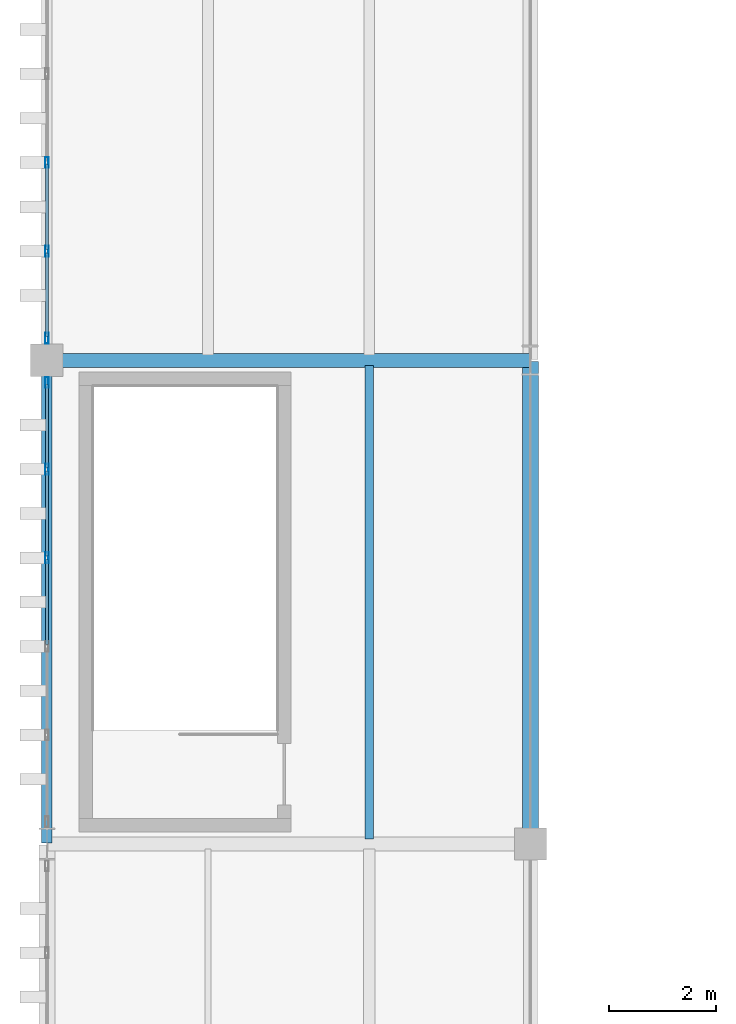
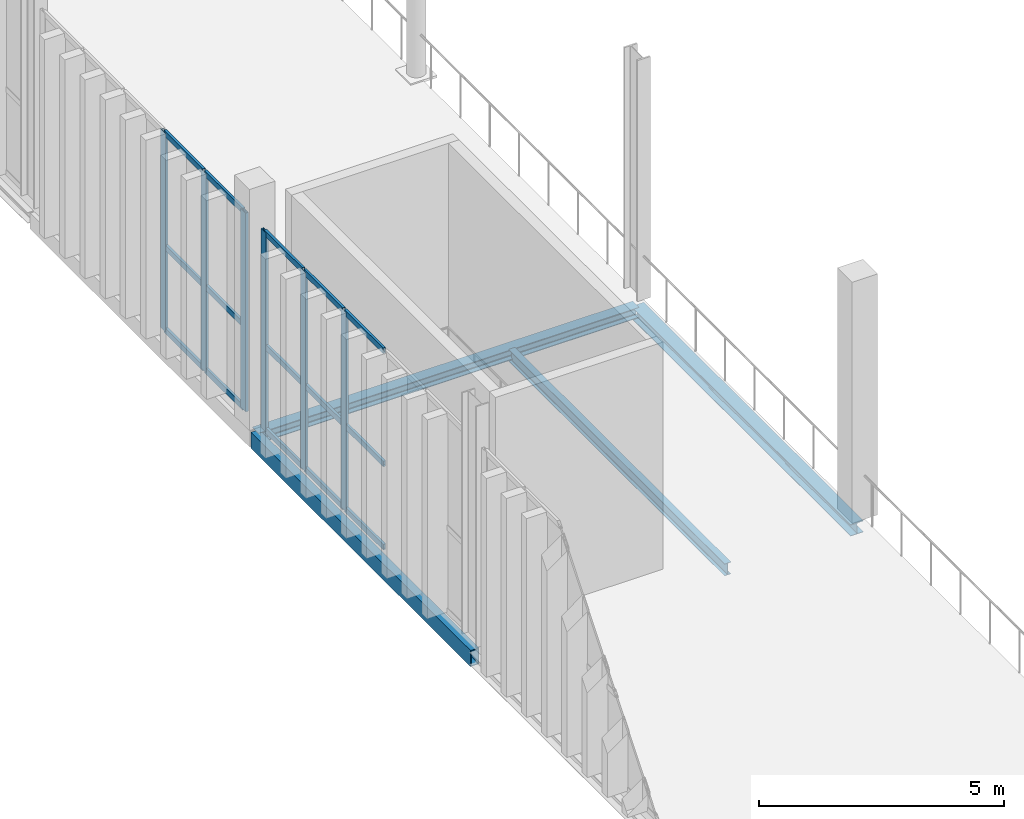
# One storey, part 76 of 211: 21 members, 4 beams, 2 elements without a shape of their own.
"""IFC4 building model written with IfcOpenShell, lengths in metres."""

from ifc_helpers import new_model, si_unit, direction, frame, origin, origin_2d, place, context, subcontext, project, spatial, hollow_rectangle, i_section, extrude, material, layer, layer_set, material_profile, profile_set, type_object, element, aggregate, save


model = new_model("IFC4")

# Units and contexts
model_context = context("Model", 3, precision=1e-05, world=origin(), true_north=direction((0.0, 1.0)))
body_context = subcontext(model_context, "Body", "Model", "MODEL_VIEW")
ifc_project = project(units=[si_unit("LENGTHUNIT", "METRE"), si_unit("AREAUNIT", "SQUARE_METRE"), si_unit("VOLUMEUNIT", "CUBIC_METRE"), si_unit("PLANEANGLEUNIT", "RADIAN"), si_unit("MASSUNIT", "GRAM", prefix="KILO")], contexts=[model_context])

# Site, building, storey
site_placement = place(None, origin())
site = spatial("IfcSite", under=ifc_project, at=site_placement, CompositionType="ELEMENT")
building_placement = place(site_placement, origin())
building = spatial("IfcBuilding", under=site, at=building_placement, Name="Barlavento Convention Centre", CompositionType="ELEMENT")
storey_placement = place(building_placement, frame((0.0, 0.0, 6.0)))
storey = spatial("IfcBuildingStorey", under=building, at=storey_placement, Name="L01", CompositionType="ELEMENT", Elevation=6.0)

# Curtain wall, members
ifc_material_1 = material(Name="Powder-coated aluminium and Low-E glass", Category="aluminium")
ifc_layer = layer(ifc_material_1, 0.179931640625)
ifc_layer_set = layer_set([ifc_layer], Name="ARC-CW-EXH-L01")
curtain_wall_type = type_object("IfcCurtainWallType", Name="ARC-CW-EXH-L01", PredefinedType="NOTDEFINED", material=ifc_layer_set)
curtain_wall_1_placement = place(storey_placement, origin())
curtain_wall_1 = element("IfcCurtainWall", 1, at=curtain_wall_1_placement, inside=storey, type_object=curtain_wall_type, Name="L01 unitised curtain wall CW04", PredefinedType="NOTDEFINED")
ifc_material_2 = material(Name="Powder-coated aluminium", Category="aluminium")
ifc_material_profile_1 = material_profile(ifc_material_2, hollow_rectangle(XDim=0.06494140625, YDim=0.199951171875, WallThickness=0.0048828125, at=origin_2d()), Name="AL-MULL 65x200x5")
ifc_profile_set_1 = profile_set([ifc_material_profile_1], Name="Powder-coated aluminium")
member_type_1 = type_object("IfcMemberType", Name="ARC-CWM-65X200", PredefinedType="MULLION", material=ifc_profile_set_1)
member_1_placement = place(storey_placement, frame((0.0, 95.323974609375, 0.0), z_axis=(0.0, 0.0, 1.0), x_axis=(-1.0, 0.0, 0.0)))
member_1 = element("IfcMember", 2, at=member_1_placement, type_object=member_type_1, Name="CW04 mullion 4", PredefinedType="MULLION", context=body_context, shape_type="SweptSolid", body=[
    extrude(hollow_rectangle(XDim=0.06494140625, YDim=0.199951171875, WallThickness=0.0048828125, at=origin_2d()), origin(), (0.0, 0.0, 1.0), 4.949951171875),
])
member_2_placement = place(storey_placement, frame((0.0, 96.971923828125, 0.0), z_axis=(0.0, 0.0, 1.0), x_axis=(-1.0, 0.0, 0.0)))
member_2 = element("IfcMember", 3, at=member_2_placement, type_object=member_type_1, Name="CW04 mullion 5", PredefinedType="MULLION", context=body_context, shape_type="SweptSolid", body=[
    extrude(hollow_rectangle(XDim=0.06494140625, YDim=0.199951171875, WallThickness=0.0048828125, at=origin_2d()), origin(), (0.0, 0.0, 1.0), 4.949951171875),
])
member_3_placement = place(storey_placement, frame((0.0, 98.58740234375, 0.0), z_axis=(0.0, 0.0, 1.0), x_axis=(-1.0, 0.0, 0.0)))
member_3 = element("IfcMember", 4, at=member_3_placement, type_object=member_type_1, Name="CW04 mullion 6", PredefinedType="MULLION", context=body_context, shape_type="SweptSolid", body=[
    extrude(hollow_rectangle(XDim=0.06494140625, YDim=0.199951171875, WallThickness=0.0048828125, at=origin_2d()), origin(), (0.0, 0.0, 1.0), 4.949951171875),
])

curtain_wall_2_placement = place(storey_placement, origin())
curtain_wall_2 = element("IfcCurtainWall", 5, at=curtain_wall_2_placement, inside=storey, type_object=curtain_wall_type, Name="L01 unitised curtain wall CW04", PredefinedType="NOTDEFINED")
member_4_placement = place(storey_placement, frame((0.0, 99.41259765625, 0.0), z_axis=(0.0, 0.0, 1.0), x_axis=(-1.0, 0.0, 0.0)))
member_4 = element("IfcMember", 6, at=member_4_placement, type_object=member_type_1, Name="CW04 mullion 1", PredefinedType="MULLION", context=body_context, shape_type="SweptSolid", body=[
    extrude(hollow_rectangle(XDim=0.06494140625, YDim=0.199951171875, WallThickness=0.0048828125, at=origin_2d()), origin(), (0.0, 0.0, 1.0), 4.949951171875),
])
member_5_placement = place(storey_placement, frame((0.0, 101.03076171875, 0.0), z_axis=(0.0, 0.0, 1.0), x_axis=(-1.0, 0.0, 0.0)))
member_5 = element("IfcMember", 7, at=member_5_placement, type_object=member_type_1, Name="CW04 mullion 2", PredefinedType="MULLION", context=body_context, shape_type="SweptSolid", body=[
    extrude(hollow_rectangle(XDim=0.06494140625, YDim=0.199951171875, WallThickness=0.0048828125, at=origin_2d()), origin(), (0.0, 0.0, 1.0), 4.949951171875),
])
member_6_placement = place(storey_placement, frame((0.0, 102.681640625, 0.0), z_axis=(0.0, 0.0, 1.0), x_axis=(-1.0, 0.0, 0.0)))
member_6 = element("IfcMember", 8, at=member_6_placement, type_object=member_type_1, Name="CW04 mullion 3", PredefinedType="MULLION", context=body_context, shape_type="SweptSolid", body=[
    extrude(hollow_rectangle(XDim=0.06494140625, YDim=0.199951171875, WallThickness=0.0048828125, at=origin_2d()), origin(), (0.0, 0.0, 1.0), 4.949951171875),
])

# Member
ifc_material_profile_2 = material_profile(ifc_material_2, hollow_rectangle(XDim=0.06005859375, YDim=0.139892578125, WallThickness=0.00390625, at=origin_2d()), Name="AL-TRAN 60x140x4")
ifc_profile_set_2 = profile_set([ifc_material_profile_2], Name="Powder-coated aluminium")
member_type_2 = type_object("IfcMemberType", Name="ARC-CWT-60X140", PredefinedType="USERDEFINED", material=ifc_profile_set_2)
member_7_placement = place(storey_placement, frame((0.0, 93.70849609375, 0.030029296875), z_axis=(0.0, 1.0, 0.0), x_axis=(-1.0, 0.0, 0.0)))
member_7 = element("IfcMember", 9, at=member_7_placement, type_object=member_type_2, Name="CW04 transom 3.1", ObjectType="TRANSOM", PredefinedType="USERDEFINED", context=body_context, shape_type="SweptSolid", body=[
    extrude(hollow_rectangle(XDim=0.06005859375, YDim=0.139892578125, WallThickness=0.00390625, at=origin_2d()), origin(), (0.0, 0.0, 1.0), 1.5830078125),
])

member_8_placement = place(storey_placement, frame((0.0, 93.70849609375, 2.10009765625), z_axis=(0.0, 1.0, 0.0), x_axis=(-1.0, 0.0, 0.0)))
member_8 = element("IfcMember", 10, at=member_8_placement, type_object=member_type_2, Name="CW04 transom 3.2", ObjectType="TRANSOM", PredefinedType="USERDEFINED", context=body_context, shape_type="SweptSolid", body=[
    extrude(hollow_rectangle(XDim=0.06005859375, YDim=0.139892578125, WallThickness=0.00390625, at=origin_2d()), origin(), (0.0, 0.0, 1.0), 1.5830078125),
])

member_9_placement = place(storey_placement, frame((0.0, 93.70849609375, 4.919921875), z_axis=(0.0, 1.0, 0.0), x_axis=(-1.0, 0.0, 0.0)))
member_9 = element("IfcMember", 11, at=member_9_placement, type_object=member_type_2, Name="CW04 transom 3.3", ObjectType="TRANSOM", PredefinedType="USERDEFINED", context=body_context, shape_type="SweptSolid", body=[
    extrude(hollow_rectangle(XDim=0.06005859375, YDim=0.139892578125, WallThickness=0.00390625, at=origin_2d()), origin(), (0.0, 0.0, 1.0), 1.5830078125),
])

member_10_placement = place(storey_placement, frame((0.0, 95.3564453125, 0.030029296875), z_axis=(0.0, 1.0, 0.0), x_axis=(-1.0, 0.0, 0.0)))
member_10 = element("IfcMember", 12, at=member_10_placement, type_object=member_type_2, Name="CW04 transom 4.1", ObjectType="TRANSOM", PredefinedType="USERDEFINED", context=body_context, shape_type="SweptSolid", body=[
    extrude(hollow_rectangle(XDim=0.06005859375, YDim=0.139892578125, WallThickness=0.00390625, at=origin_2d()), origin(), (0.0, 0.0, 1.0), 1.5830078125),
])

member_11_placement = place(storey_placement, frame((0.0, 95.3564453125, 2.10009765625), z_axis=(0.0, 1.0, 0.0), x_axis=(-1.0, 0.0, 0.0)))
member_11 = element("IfcMember", 13, at=member_11_placement, type_object=member_type_2, Name="CW04 transom 4.2", ObjectType="TRANSOM", PredefinedType="USERDEFINED", context=body_context, shape_type="SweptSolid", body=[
    extrude(hollow_rectangle(XDim=0.06005859375, YDim=0.139892578125, WallThickness=0.00390625, at=origin_2d()), origin(), (0.0, 0.0, 1.0), 1.5830078125),
])

member_12_placement = place(storey_placement, frame((0.0, 95.3564453125, 4.919921875), z_axis=(0.0, 1.0, 0.0), x_axis=(-1.0, 0.0, 0.0)))
member_12 = element("IfcMember", 14, at=member_12_placement, type_object=member_type_2, Name="CW04 transom 4.3", ObjectType="TRANSOM", PredefinedType="USERDEFINED", context=body_context, shape_type="SweptSolid", body=[
    extrude(hollow_rectangle(XDim=0.06005859375, YDim=0.139892578125, WallThickness=0.00390625, at=origin_2d()), origin(), (0.0, 0.0, 1.0), 1.5830078125),
])

member_13_placement = place(storey_placement, frame((0.0, 97.00439453125, 0.030029296875), z_axis=(0.0, 1.0, 0.0), x_axis=(-1.0, 0.0, 0.0)))
member_13 = element("IfcMember", 15, at=member_13_placement, type_object=member_type_2, Name="CW04 transom 5.1", ObjectType="TRANSOM", PredefinedType="USERDEFINED", context=body_context, shape_type="SweptSolid", body=[
    extrude(hollow_rectangle(XDim=0.06005859375, YDim=0.139892578125, WallThickness=0.00390625, at=origin_2d()), origin(), (0.0, 0.0, 1.0), 1.550537109375),
])

member_14_placement = place(storey_placement, frame((0.0, 97.00439453125, 2.10009765625), z_axis=(0.0, 1.0, 0.0), x_axis=(-1.0, 0.0, 0.0)))
member_14 = element("IfcMember", 16, at=member_14_placement, type_object=member_type_2, Name="CW04 transom 5.2", ObjectType="TRANSOM", PredefinedType="USERDEFINED", context=body_context, shape_type="SweptSolid", body=[
    extrude(hollow_rectangle(XDim=0.06005859375, YDim=0.139892578125, WallThickness=0.00390625, at=origin_2d()), origin(), (0.0, 0.0, 1.0), 1.550537109375),
])

member_15_placement = place(storey_placement, frame((0.0, 97.00439453125, 4.919921875), z_axis=(0.0, 1.0, 0.0), x_axis=(-1.0, 0.0, 0.0)))
member_15 = element("IfcMember", 17, at=member_15_placement, type_object=member_type_2, Name="CW04 transom 5.3", ObjectType="TRANSOM", PredefinedType="USERDEFINED", context=body_context, shape_type="SweptSolid", body=[
    extrude(hollow_rectangle(XDim=0.06005859375, YDim=0.139892578125, WallThickness=0.00390625, at=origin_2d()), origin(), (0.0, 0.0, 1.0), 1.550537109375),
])

aggregate(curtain_wall_1, [member_1, member_2, member_3, member_7, member_8, member_9, member_10, member_11, member_12, member_13, member_14, member_15])

member_16_placement = place(storey_placement, frame((0.0, 99.445068359375, 0.030029296875), z_axis=(0.0, 1.0, 0.0), x_axis=(-1.0, 0.0, 0.0)))
member_16 = element("IfcMember", 18, at=member_16_placement, type_object=member_type_2, Name="CW04 transom 1.1", ObjectType="TRANSOM", PredefinedType="USERDEFINED", context=body_context, shape_type="SweptSolid", body=[
    extrude(hollow_rectangle(XDim=0.06005859375, YDim=0.139892578125, WallThickness=0.00390625, at=origin_2d()), origin(), (0.0, 0.0, 1.0), 1.55322265625),
])

member_17_placement = place(storey_placement, frame((0.0, 99.445068359375, 2.10009765625), z_axis=(0.0, 1.0, 0.0), x_axis=(-1.0, 0.0, 0.0)))
member_17 = element("IfcMember", 19, at=member_17_placement, type_object=member_type_2, Name="CW04 transom 1.2", ObjectType="TRANSOM", PredefinedType="USERDEFINED", context=body_context, shape_type="SweptSolid", body=[
    extrude(hollow_rectangle(XDim=0.06005859375, YDim=0.139892578125, WallThickness=0.00390625, at=origin_2d()), origin(), (0.0, 0.0, 1.0), 1.55322265625),
])

member_18_placement = place(storey_placement, frame((0.0, 99.445068359375, 4.919921875), z_axis=(0.0, 1.0, 0.0), x_axis=(-1.0, 0.0, 0.0)))
member_18 = element("IfcMember", 20, at=member_18_placement, type_object=member_type_2, Name="CW04 transom 1.3", ObjectType="TRANSOM", PredefinedType="USERDEFINED", context=body_context, shape_type="SweptSolid", body=[
    extrude(hollow_rectangle(XDim=0.06005859375, YDim=0.139892578125, WallThickness=0.00390625, at=origin_2d()), origin(), (0.0, 0.0, 1.0), 1.55322265625),
])

member_19_placement = place(storey_placement, frame((0.0, 101.063232421875, 0.030029296875), z_axis=(0.0, 1.0, 0.0), x_axis=(-1.0, 0.0, 0.0)))
member_19 = element("IfcMember", 21, at=member_19_placement, type_object=member_type_2, Name="CW04 transom 2.1", ObjectType="TRANSOM", PredefinedType="USERDEFINED", context=body_context, shape_type="SweptSolid", body=[
    extrude(hollow_rectangle(XDim=0.06005859375, YDim=0.139892578125, WallThickness=0.00390625, at=origin_2d()), origin(), (0.0, 0.0, 1.0), 1.5859375),
])

member_20_placement = place(storey_placement, frame((0.0, 101.063232421875, 2.10009765625), z_axis=(0.0, 1.0, 0.0), x_axis=(-1.0, 0.0, 0.0)))
member_20 = element("IfcMember", 22, at=member_20_placement, type_object=member_type_2, Name="CW04 transom 2.2", ObjectType="TRANSOM", PredefinedType="USERDEFINED", context=body_context, shape_type="SweptSolid", body=[
    extrude(hollow_rectangle(XDim=0.06005859375, YDim=0.139892578125, WallThickness=0.00390625, at=origin_2d()), origin(), (0.0, 0.0, 1.0), 1.5859375),
])

member_21_placement = place(storey_placement, frame((0.0, 101.063232421875, 4.919921875), z_axis=(0.0, 1.0, 0.0), x_axis=(-1.0, 0.0, 0.0)))
member_21 = element("IfcMember", 23, at=member_21_placement, type_object=member_type_2, Name="CW04 transom 2.3", ObjectType="TRANSOM", PredefinedType="USERDEFINED", context=body_context, shape_type="SweptSolid", body=[
    extrude(hollow_rectangle(XDim=0.06005859375, YDim=0.139892578125, WallThickness=0.00390625, at=origin_2d()), origin(), (0.0, 0.0, 1.0), 1.5859375),
])

aggregate(curtain_wall_2, [member_4, member_5, member_6, member_16, member_17, member_18, member_19, member_20, member_21])

# Beams
ifc_material_3 = material(Name="Steel S355", Category="steel")
ifc_material_profile_3 = material_profile(ifc_material_3, i_section(OverallWidth=0.14990234375, OverallDepth=0.300048828125, WebThickness=0.007080078125, FlangeThickness=0.0107421875, FilletRadius=0.014892578125, at=origin_2d()), Name="IPE 300")
ifc_profile_set_3 = profile_set([ifc_material_profile_3], Name="Steel S355")
beam_type_1 = type_object("IfcBeamType", Name="STR-BM-JST-IPE300", PredefinedType="JOIST", material=ifc_profile_set_3)
beam_1_placement = place(storey_placement, frame((6.0, 90.094970703125, -0.429931640625), z_axis=(0.0, 1.0, 0.0), x_axis=(-1.0, 0.0, 0.0)))
element("IfcBeam", 24, at=beam_1_placement, inside=storey, type_object=beam_type_1, Name="L01 composite floor joist SJ07", PredefinedType="JOIST", context=body_context, shape_type="SweptSolid", body=[
    extrude(i_section(OverallWidth=0.14990234375, OverallDepth=0.300048828125, WebThickness=0.007080078125, FlangeThickness=0.0107421875, FilletRadius=0.014892578125, at=origin_2d()), origin(), (0.0, 0.0, 1.0), 8.81005859375),
])
ifc_material_profile_4 = material_profile(ifc_material_3, i_section(OverallWidth=0.260009765625, OverallDepth=0.260009765625, WebThickness=0.010009765625, FlangeThickness=0.017578125, FilletRadius=0.02392578125, at=origin_2d()), Name="HEB 260")
ifc_profile_set_4 = profile_set([ifc_material_profile_4], Name="Steel S355")
beam_type_2 = type_object("IfcBeamType", Name="STR-BM-PRI-HEB260", PredefinedType="BEAM", material=ifc_profile_set_4)
beam_2_placement = place(storey_placement, frame((0.02001953125, 99.0, -0.409912109375), z_axis=(1.0, 0.0, 0.0), x_axis=(0.0, 1.0, 0.0)))
element("IfcBeam", 25, at=beam_2_placement, inside=storey, type_object=beam_type_2, Name="L01 primary girder BG16", PredefinedType="BEAM", context=body_context, shape_type="SweptSolid", body=[
    extrude(i_section(OverallWidth=0.260009765625, OverallDepth=0.260009765625, WebThickness=0.010009765625, FlangeThickness=0.017578125, FilletRadius=0.02392578125, at=origin_2d()), origin(), (0.0, 0.0, 1.0), 8.9599609375),
])
ifc_material_profile_5 = material_profile(ifc_material_3, i_section(OverallWidth=0.300048828125, OverallDepth=0.2900390625, WebThickness=0.008544921875, FlangeThickness=0.013916015625, FilletRadius=0.027099609375, at=origin_2d()), Name="HEA 300")
ifc_profile_set_5 = profile_set([ifc_material_profile_5], Name="Steel S355")
beam_type_3 = type_object("IfcBeamType", Name="STR-BM-SPN-HEA300", PredefinedType="SPANDREL", material=ifc_profile_set_5)
beam_3_placement = place(storey_placement, frame((9.0, 90.02001953125, -0.425048828125), z_axis=(0.0, 1.0, 0.0), x_axis=(-1.0, 0.0, 0.0)))
element("IfcBeam", 26, at=beam_3_placement, inside=storey, type_object=beam_type_3, Name="L01 grid girder SP02", PredefinedType="SPANDREL", context=body_context, shape_type="SweptSolid", body=[
    extrude(i_section(OverallWidth=0.300048828125, OverallDepth=0.2900390625, WebThickness=0.008544921875, FlangeThickness=0.013916015625, FilletRadius=0.027099609375, at=origin_2d()), origin(), (0.0, 0.0, 1.0), 8.9599609375),
])
ifc_material_profile_6 = material_profile(ifc_material_3, hollow_rectangle(XDim=0.199951171875, YDim=0.39990234375, WallThickness=0.01611328125, at=origin_2d()), Name="RHS 400x200x16.0")
ifc_profile_set_6 = profile_set([ifc_material_profile_6], Name="Steel S355")
beam_type_4 = type_object("IfcBeamType", Name="STR-BM-SPN-RHS400", PredefinedType="SPANDREL", material=ifc_profile_set_6)
beam_4_placement = place(storey_placement, frame((0.0, 90.02001953125, -0.47998046875), z_axis=(0.0, 1.0, 0.0), x_axis=(-1.0, 0.0, 0.0)))
element("IfcBeam", 27, at=beam_4_placement, inside=storey, type_object=beam_type_4, Name="L01 grid girder SP06", PredefinedType="SPANDREL", context=body_context, shape_type="SweptSolid", body=[
    extrude(hollow_rectangle(XDim=0.199951171875, YDim=0.39990234375, WallThickness=0.01611328125, at=origin_2d()), origin(), (0.0, 0.0, 1.0), 8.9599609375),
])

save(model, "model.ifc")
